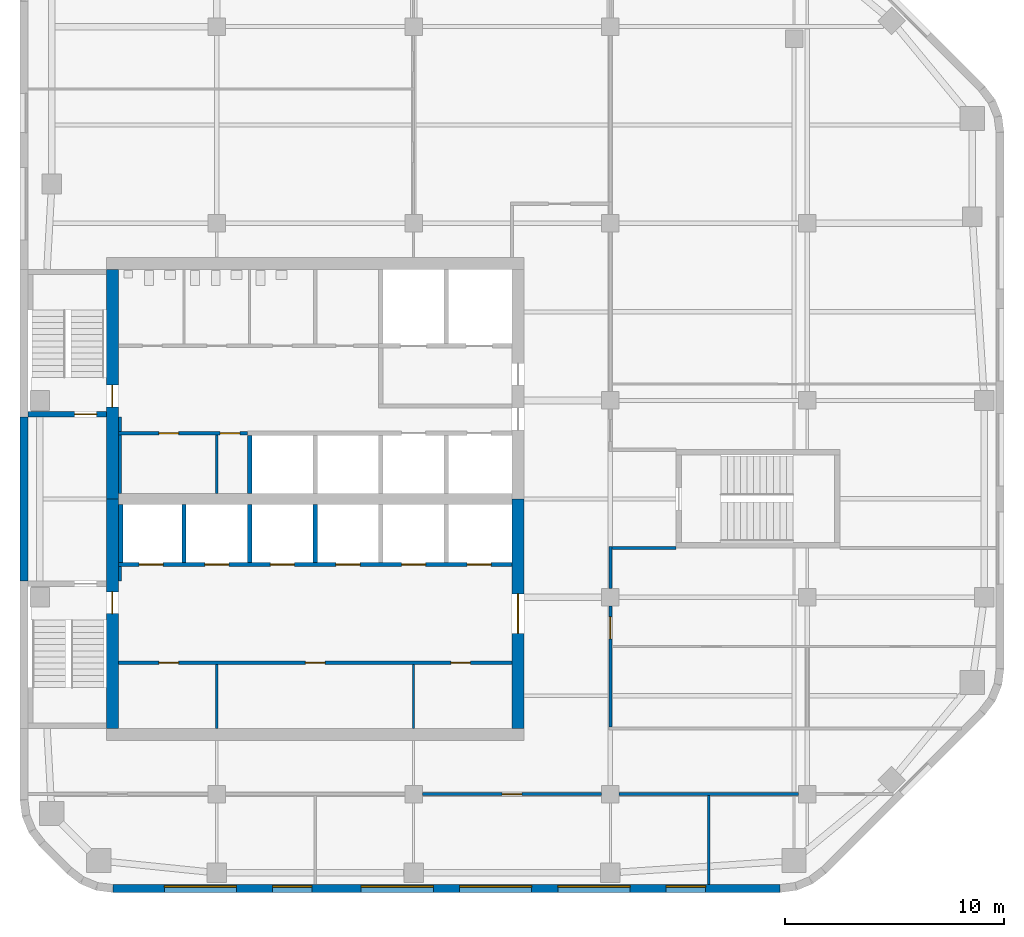
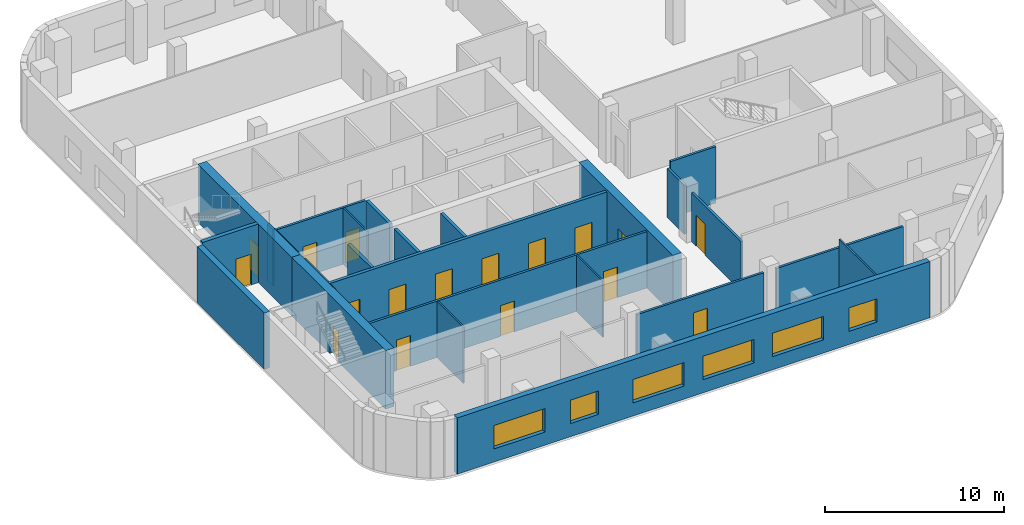
# One storey, part 3 of 7: 26 walls, 17 doors, 6 windows, 23 openings.
"""IFC4 building model written with IfcOpenShell, lengths in metres."""

from ifc_helpers import new_model, si_unit, direction, frame, frame_2d, origin, place, context, subcontext, project, spatial, rectangle, extrude, material, layer, layer_set, type_object, element, fill, save


model = new_model("IFC4")

# Units and contexts
model_context = context("Model", 3, precision=1e-05, world=origin(), true_north=direction((0.0, 1.0)))
body_context = subcontext(model_context, "Body", "Model", "MODEL_VIEW")
ifc_project = project(units=[si_unit("LENGTHUNIT", "METRE"), si_unit("AREAUNIT", "SQUARE_METRE"), si_unit("VOLUMEUNIT", "CUBIC_METRE"), si_unit("PLANEANGLEUNIT", "RADIAN"), si_unit("MASSUNIT", "GRAM", prefix="KILO")], contexts=[model_context])

# Site, building, storey
site_placement = place(None, origin())
site = spatial("IfcSite", under=ifc_project, at=site_placement, CompositionType="ELEMENT")
building_placement = place(site_placement, origin())
building = spatial("IfcBuilding", under=site, at=building_placement, Name="Cinnabar Reach Civic Tower", CompositionType="ELEMENT")
storey_placement = place(building_placement, frame((0.0, 0.0, 214.0)))
storey = spatial("IfcBuildingStorey", under=building, at=storey_placement, Name="L51", CompositionType="ELEMENT", Elevation=214.0)

# Wall, openings, windows
ifc_material_1 = material(Name="Facing brick with insulated backing", Category="masonry")
ifc_layer_1 = layer(ifc_material_1, 0.36)
ifc_layer_set_1 = layer_set([ifc_layer_1], Name="Brick pier and spandrel wall")
wall_type_1 = type_object("IfcWallType", Name="Brick pier and spandrel wall", PredefinedType="STANDARD", material=ifc_layer_set_1)
wall_1_placement = place(storey_placement, frame((4.2426, 13.68, 0.0), z_axis=(0.0, 0.0, 1.0), x_axis=(1.0, 0.0, 0.0)))
wall_1 = element("IfcWall", 1, at=wall_1_placement, inside=storey, type_object=wall_type_1, Name="Brick facade wall", PredefinedType="STANDARD", context=body_context, shape_type="SweptSolid", body=[
    extrude(rectangle(XDim=30.5148, YDim=0.36, at=frame_2d((15.2574, 0.0))), origin(), (0.0, 0.0, 1.0), 3.85),
])
opening_1_placement = place(wall_1_placement, frame((2.3574, 0.0, 0.9)))
opening_1 = element("IfcOpeningElement", 2, at=opening_1_placement, cuts=wall_1, Name="Opening W2040", PredefinedType="OPENING", context=body_context, shape_type="SweptSolid", body=[
    extrude(rectangle(XDim=3.3, YDim=1.6, at=frame_2d((1.65, 0.8))), frame((0.0, 0.19, 0.0), z_axis=(0.0, -1.0, 0.0), x_axis=(1.0, 0.0, 0.0)), (0.0, 0.0, 1.0), 0.38),
])
opening_2_placement = place(wall_1_placement, frame((7.3074, 0.0, 0.9)))
opening_2 = element("IfcOpeningElement", 3, at=opening_2_placement, cuts=wall_1, Name="Opening W2041", PredefinedType="OPENING", context=body_context, shape_type="SweptSolid", body=[
    extrude(rectangle(XDim=1.8, YDim=1.6, at=frame_2d((0.9, 0.8))), frame((0.0, 0.19, 0.0), z_axis=(0.0, -1.0, 0.0), x_axis=(1.0, 0.0, 0.0)), (0.0, 0.0, 1.0), 0.38),
])
opening_3_placement = place(wall_1_placement, frame((11.3574, 0.0, 0.9)))
opening_3 = element("IfcOpeningElement", 4, at=opening_3_placement, cuts=wall_1, Name="Opening W2042", PredefinedType="OPENING", context=body_context, shape_type="SweptSolid", body=[
    extrude(rectangle(XDim=3.3, YDim=1.6, at=frame_2d((1.65, 0.8))), frame((0.0, 0.19, 0.0), z_axis=(0.0, -1.0, 0.0), x_axis=(1.0, 0.0, 0.0)), (0.0, 0.0, 1.0), 0.38),
])
opening_4_placement = place(wall_1_placement, frame((15.8574, 0.0, 0.9)))
opening_4 = element("IfcOpeningElement", 5, at=opening_4_placement, cuts=wall_1, Name="Opening W2043", PredefinedType="OPENING", context=body_context, shape_type="SweptSolid", body=[
    extrude(rectangle(XDim=3.3, YDim=1.6, at=frame_2d((1.65, 0.8))), frame((0.0, 0.19, 0.0), z_axis=(0.0, -1.0, 0.0), x_axis=(1.0, 0.0, 0.0)), (0.0, 0.0, 1.0), 0.38),
])
opening_5_placement = place(wall_1_placement, frame((20.3574, 0.0, 0.9)))
opening_5 = element("IfcOpeningElement", 6, at=opening_5_placement, cuts=wall_1, Name="Opening W2044", PredefinedType="OPENING", context=body_context, shape_type="SweptSolid", body=[
    extrude(rectangle(XDim=3.3, YDim=1.6, at=frame_2d((1.65, 0.8))), frame((0.0, 0.19, 0.0), z_axis=(0.0, -1.0, 0.0), x_axis=(1.0, 0.0, 0.0)), (0.0, 0.0, 1.0), 0.38),
])
opening_6_placement = place(wall_1_placement, frame((25.3074, 0.0, 0.9)))
opening_6 = element("IfcOpeningElement", 7, at=opening_6_placement, cuts=wall_1, Name="Opening W2045", PredefinedType="OPENING", context=body_context, shape_type="SweptSolid", body=[
    extrude(rectangle(XDim=1.8, YDim=1.6, at=frame_2d((0.9, 0.8))), frame((0.0, 0.19, 0.0), z_axis=(0.0, -1.0, 0.0), x_axis=(1.0, 0.0, 0.0)), (0.0, 0.0, 1.0), 0.38),
])
ifc_material_2 = material(Name="Clear double glazing in aluminium frame", Category="aluminium")
window_type_1 = type_object("IfcWindowType", Name="Deep-set window A", PartitioningType="SINGLE_PANEL", PredefinedType="WINDOW", material=ifc_material_2)
window_1_placement = place(opening_1_placement, origin())
window_1 = element("IfcWindow", 8, at=window_1_placement, inside=storey, type_object=window_type_1, Name="Window south face", OverallHeight=1.6, OverallWidth=3.3, PartitioningType="SINGLE_PANEL", PredefinedType="WINDOW", context=body_context, shape_type="SweptSolid", body=[
    extrude(rectangle(XDim=3.3, YDim=1.6, at=frame_2d((1.65, 0.8))), frame((0.0, 0.13, 0.0), z_axis=(0.0, -1.0, 0.0), x_axis=(1.0, 0.0, 0.0)), (0.0, 0.0, 1.0), 0.06),
])
fill(opening_1, window_1)
window_2_placement = place(opening_3_placement, origin())
window_2 = element("IfcWindow", 9, at=window_2_placement, inside=storey, type_object=window_type_1, Name="Window south face", OverallHeight=1.6, OverallWidth=3.3, PartitioningType="SINGLE_PANEL", PredefinedType="WINDOW", context=body_context, shape_type="SweptSolid", body=[
    extrude(rectangle(XDim=3.3, YDim=1.6, at=frame_2d((1.65, 0.8))), frame((0.0, 0.13, 0.0), z_axis=(0.0, -1.0, 0.0), x_axis=(1.0, 0.0, 0.0)), (0.0, 0.0, 1.0), 0.06),
])
fill(opening_3, window_2)
window_3_placement = place(opening_4_placement, origin())
window_3 = element("IfcWindow", 10, at=window_3_placement, inside=storey, type_object=window_type_1, Name="Window south face", OverallHeight=1.6, OverallWidth=3.3, PartitioningType="SINGLE_PANEL", PredefinedType="WINDOW", context=body_context, shape_type="SweptSolid", body=[
    extrude(rectangle(XDim=3.3, YDim=1.6, at=frame_2d((1.65, 0.8))), frame((0.0, 0.13, 0.0), z_axis=(0.0, -1.0, 0.0), x_axis=(1.0, 0.0, 0.0)), (0.0, 0.0, 1.0), 0.06),
])
fill(opening_4, window_3)
window_4_placement = place(opening_5_placement, origin())
window_4 = element("IfcWindow", 11, at=window_4_placement, inside=storey, type_object=window_type_1, Name="Window south face", OverallHeight=1.6, OverallWidth=3.3, PartitioningType="SINGLE_PANEL", PredefinedType="WINDOW", context=body_context, shape_type="SweptSolid", body=[
    extrude(rectangle(XDim=3.3, YDim=1.6, at=frame_2d((1.65, 0.8))), frame((0.0, 0.13, 0.0), z_axis=(0.0, -1.0, 0.0), x_axis=(1.0, 0.0, 0.0)), (0.0, 0.0, 1.0), 0.06),
])
fill(opening_5, window_4)
window_type_2 = type_object("IfcWindowType", Name="Deep-set window D", PartitioningType="SINGLE_PANEL", PredefinedType="WINDOW", material=ifc_material_2)
window_5_placement = place(opening_2_placement, origin())
window_5 = element("IfcWindow", 12, at=window_5_placement, inside=storey, type_object=window_type_2, Name="Window south face", OverallHeight=1.6, OverallWidth=1.8, PartitioningType="SINGLE_PANEL", PredefinedType="WINDOW", context=body_context, shape_type="SweptSolid", body=[
    extrude(rectangle(XDim=1.8, YDim=1.6, at=frame_2d((0.9, 0.8))), frame((0.0, 0.13, 0.0), z_axis=(0.0, -1.0, 0.0), x_axis=(1.0, 0.0, 0.0)), (0.0, 0.0, 1.0), 0.06),
])
fill(opening_2, window_5)
window_6_placement = place(opening_6_placement, origin())
window_6 = element("IfcWindow", 13, at=window_6_placement, inside=storey, type_object=window_type_2, Name="Window south face", OverallHeight=1.6, OverallWidth=1.8, PartitioningType="SINGLE_PANEL", PredefinedType="WINDOW", context=body_context, shape_type="SweptSolid", body=[
    extrude(rectangle(XDim=1.8, YDim=1.6, at=frame_2d((0.9, 0.8))), frame((0.0, 0.13, 0.0), z_axis=(0.0, -1.0, 0.0), x_axis=(1.0, 0.0, 0.0)), (0.0, 0.0, 1.0), 0.06),
])
fill(opening_6, window_6)

# Wall
wall_2_placement = place(storey_placement, frame((0.18, 35.25, 0.0), z_axis=(0.0, 0.0, 1.0), x_axis=(0.0, -1.0, 0.0)))
element("IfcWall", 14, at=wall_2_placement, inside=storey, type_object=wall_type_1, Name="Brick facade wall", PredefinedType="STANDARD", context=body_context, shape_type="SweptSolid", body=[
    extrude(rectangle(XDim=7.5, YDim=0.36, at=frame_2d((3.75, 0.0))), origin(), (0.0, 0.0, 1.0), 3.85),
])

# Wall, opening, door
ifc_material_3 = material(Name="Concrete C60", Category="concrete")
ifc_layer_2 = layer(ifc_material_3, 0.55)
ifc_layer_set_2 = layer_set([ifc_layer_2], Name="Core wall 550 EI 180")
wall_type_2 = type_object("IfcWallType", Name="Core wall 550 EI 180", PredefinedType="SOLIDWALL", material=ifc_layer_set_2)
wall_3_placement = place(storey_placement, frame((22.775, 21.0, 0.0), z_axis=(0.0, 0.0, 1.0), x_axis=(0.0, 1.0, 0.0)))
wall_3 = element("IfcWall", 15, at=wall_3_placement, inside=storey, type_object=wall_type_2, Name="Core wall T1 L51 E", PredefinedType="SOLIDWALL", context=body_context, shape_type="SweptSolid", body=[
    extrude(rectangle(XDim=10.5, YDim=0.55, at=frame_2d((5.25, 0.0))), origin(), (0.0, 0.0, 1.0), 4.0),
])
opening_7_placement = place(wall_3_placement, frame((4.35, 0.0, 0.0)))
opening_7 = element("IfcOpeningElement", 16, at=opening_7_placement, cuts=wall_3, Name="Opening D5085", PredefinedType="OPENING", context=body_context, shape_type="SweptSolid", body=[
    extrude(rectangle(XDim=1.8, YDim=2.1, at=frame_2d((0.9, 1.05))), frame((0.0, 0.285, 0.0), z_axis=(0.0, -1.0, 0.0), x_axis=(1.0, 0.0, 0.0)), (0.0, 0.0, 1.0), 0.57),
])
ifc_material_4 = material(Name="Timber door leaf in steel frame", Category="steel")
door_type_1 = type_object("IfcDoorType", Name="Double swing door 1800 x 2100 T1", OperationType="DOUBLE_DOOR_DOUBLE_SWING", PredefinedType="DOOR", material=ifc_material_4)
door_1_placement = place(opening_7_placement, origin())
door_1 = element("IfcDoor", 17, at=door_1_placement, inside=storey, type_object=door_type_1, Name="Door D5085", OperationType="DOUBLE_DOOR_DOUBLE_SWING", OverallHeight=2.1, OverallWidth=1.8, PredefinedType="DOOR", context=body_context, shape_type="SweptSolid", body=[
    extrude(rectangle(XDim=1.8, YDim=2.1, at=frame_2d((0.9, 1.05))), frame((0.0, 0.025, 0.0), z_axis=(0.0, -1.0, 0.0), x_axis=(1.0, 0.0, 0.0)), (0.0, 0.0, 1.0), 0.05),
])
fill(opening_7, door_1)

wall_4_placement = place(storey_placement, frame((4.225, 42.0, 0.0), z_axis=(0.0, 0.0, 1.0), x_axis=(0.0, -1.0, 0.0)))
wall_4 = element("IfcWall", 18, at=wall_4_placement, inside=storey, type_object=wall_type_2, Name="Core wall T1 L51 W", PredefinedType="SOLIDWALL", context=body_context, shape_type="SweptSolid", body=[
    extrude(rectangle(XDim=10.5, YDim=0.55, at=frame_2d((5.25, 0.0))), origin(), (0.0, 0.0, 1.0), 4.0),
])
opening_8_placement = place(wall_4_placement, frame((5.3, 0.0, 0.0)))
opening_8 = element("IfcOpeningElement", 19, at=opening_8_placement, cuts=wall_4, Name="Opening D5073", PredefinedType="OPENING", context=body_context, shape_type="SweptSolid", body=[
    extrude(rectangle(XDim=1.0, YDim=2.1, at=frame_2d((0.5, 1.05))), frame((0.0, 0.285, 0.0), z_axis=(0.0, -1.0, 0.0), x_axis=(1.0, 0.0, 0.0)), (0.0, 0.0, 1.0), 0.57),
])
door_type_2 = type_object("IfcDoorType", Name="Stair door 1000 x 2100 T1", OperationType="SINGLE_SWING_LEFT", PredefinedType="DOOR", material=ifc_material_4)
door_2_placement = place(opening_8_placement, frame((1.0, 0.0, 0.0), z_axis=(0.0, 0.0, 1.0), x_axis=(-1.0, 0.0, 0.0)))
door_2 = element("IfcDoor", 20, at=door_2_placement, inside=storey, type_object=door_type_2, Name="Door D5073", OperationType="SINGLE_SWING_LEFT", OverallHeight=2.1, OverallWidth=1.0, PredefinedType="DOOR", context=body_context, shape_type="SweptSolid", body=[
    extrude(rectangle(XDim=1.0, YDim=2.1, at=frame_2d((0.5, 1.05))), frame((0.0, 0.025, 0.0), z_axis=(0.0, -1.0, 0.0), x_axis=(1.0, 0.0, 0.0)), (0.0, 0.0, 1.0), 0.05),
])
fill(opening_8, door_2)

wall_5_placement = place(storey_placement, frame((4.225, 31.5, 0.0), z_axis=(0.0, 0.0, 1.0), x_axis=(0.0, -1.0, 0.0)))
wall_5 = element("IfcWall", 21, at=wall_5_placement, inside=storey, type_object=wall_type_2, Name="Core wall T1 L51 W2", PredefinedType="SOLIDWALL", context=body_context, shape_type="SweptSolid", body=[
    extrude(rectangle(XDim=10.5, YDim=0.55, at=frame_2d((5.25, 0.0))), origin(), (0.0, 0.0, 1.0), 4.0),
])
opening_9_placement = place(wall_5_placement, frame((4.25, 0.0, 0.0)))
opening_9 = element("IfcOpeningElement", 22, at=opening_9_placement, cuts=wall_5, Name="Opening D5071", PredefinedType="OPENING", context=body_context, shape_type="SweptSolid", body=[
    extrude(rectangle(XDim=1.0, YDim=2.1, at=frame_2d((0.5, 1.05))), frame((0.0, 0.285, 0.0), z_axis=(0.0, -1.0, 0.0), x_axis=(1.0, 0.0, 0.0)), (0.0, 0.0, 1.0), 0.57),
])
door_3_placement = place(opening_9_placement, frame((1.0, 0.0, 0.0), z_axis=(0.0, 0.0, 1.0), x_axis=(-1.0, 0.0, 0.0)))
door_3 = element("IfcDoor", 23, at=door_3_placement, inside=storey, type_object=door_type_2, Name="Door D5071", OperationType="SINGLE_SWING_RIGHT", OverallHeight=2.1, OverallWidth=1.0, PredefinedType="DOOR", context=body_context, shape_type="SweptSolid", body=[
    extrude(rectangle(XDim=1.0, YDim=2.1, at=frame_2d((0.5, 1.05))), frame((0.0, 0.025, 0.0), z_axis=(0.0, -1.0, 0.0), x_axis=(1.0, 0.0, 0.0)), (0.0, 0.0, 1.0), 0.05),
])
fill(opening_9, door_3)

# Wall
ifc_material_5 = material(Name="Gypsum board on steel studs, double layer", Category="steel")
ifc_layer_3 = layer(ifc_material_5, 0.15)
ifc_layer_set_3 = layer_set([ifc_layer_3], Name="Corridor wall 150 T1")
wall_type_3 = type_object("IfcWallType", Name="Corridor wall 150 T1", PredefinedType="PARTITIONING", material=ifc_layer_set_3)
wall_6_placement = place(storey_placement, frame((27.4, 18.0, 0.0), z_axis=(0.0, 0.0, 1.0), x_axis=(1.0, 0.0, 0.0)))
element("IfcWall", 24, at=wall_6_placement, inside=storey, type_object=wall_type_3, Name="Corridor wall 19", PredefinedType="PARTITIONING", context=body_context, shape_type="SweptSolid", body=[
    extrude(rectangle(XDim=8.2, YDim=0.15, at=frame_2d((4.1, 0.0))), origin(), (0.0, 0.0, 1.0), 3.254),
])

# Wall, opening, door
wall_7_placement = place(storey_placement, frame((18.4, 18.0, 0.0), z_axis=(0.0, 0.0, 1.0), x_axis=(1.0, 0.0, 0.0)))
wall_7 = element("IfcWall", 25, at=wall_7_placement, inside=storey, type_object=wall_type_3, Name="Corridor wall 20", PredefinedType="PARTITIONING", context=body_context, shape_type="SweptSolid", body=[
    extrude(rectangle(XDim=8.2, YDim=0.15, at=frame_2d((4.1, 0.0))), origin(), (0.0, 0.0, 1.0), 3.254),
])
opening_10_placement = place(wall_7_placement, frame((3.65, 0.0, 0.0)))
opening_10 = element("IfcOpeningElement", 26, at=opening_10_placement, cuts=wall_7, Name="Opening D5104", PredefinedType="OPENING", context=body_context, shape_type="SweptSolid", body=[
    extrude(rectangle(XDim=0.9, YDim=2.1, at=frame_2d((0.45, 1.05))), frame((0.0, 0.085, 0.0), z_axis=(0.0, -1.0, 0.0), x_axis=(1.0, 0.0, 0.0)), (0.0, 0.0, 1.0), 0.17),
])
door_type_3 = type_object("IfcDoorType", Name="Single swing door 900 x 2100 corridor T1", OperationType="SINGLE_SWING_LEFT", PredefinedType="DOOR", material=ifc_material_4)
door_4_placement = place(opening_10_placement, frame((0.9, 0.0, 0.0), z_axis=(0.0, 0.0, 1.0), x_axis=(-1.0, 0.0, 0.0)))
door_4 = element("IfcDoor", 27, at=door_4_placement, inside=storey, type_object=door_type_3, Name="Door D5104", OperationType="SINGLE_SWING_LEFT", OverallHeight=2.1, OverallWidth=0.9, PredefinedType="DOOR", context=body_context, shape_type="SweptSolid", body=[
    extrude(rectangle(XDim=0.9, YDim=2.1, at=frame_2d((0.45, 1.05))), frame((0.0, 0.025, 0.0), z_axis=(0.0, -1.0, 0.0), x_axis=(1.0, 0.0, 0.0)), (0.0, 0.0, 1.0), 0.05),
])
fill(opening_10, door_4)

# Wall, openings, doors
wall_8_placement = place(storey_placement, frame((4.5, 24.0, 0.0), z_axis=(0.0, 0.0, 1.0), x_axis=(1.0, 0.0, 0.0)))
wall_8 = element("IfcWall", 28, at=wall_8_placement, inside=storey, type_object=wall_type_3, Name="Corridor wall 23", PredefinedType="PARTITIONING", context=body_context, shape_type="SweptSolid", body=[
    extrude(rectangle(XDim=18.0, YDim=0.15, at=frame_2d((9.0, 0.0))), origin(), (0.0, 0.0, 1.0), 3.85),
])
opening_11_placement = place(wall_8_placement, frame((1.85, 0.0, 0.0)))
opening_11 = element("IfcOpeningElement", 29, at=opening_11_placement, cuts=wall_8, Name="Opening D5089", PredefinedType="OPENING", context=body_context, shape_type="SweptSolid", body=[
    extrude(rectangle(XDim=0.9, YDim=2.1, at=frame_2d((0.45, 1.05))), frame((0.0, 0.085, 0.0), z_axis=(0.0, -1.0, 0.0), x_axis=(1.0, 0.0, 0.0)), (0.0, 0.0, 1.0), 0.17),
])
opening_12_placement = place(wall_8_placement, frame((8.55, 0.0, 0.0)))
opening_12 = element("IfcOpeningElement", 30, at=opening_12_placement, cuts=wall_8, Name="Opening D5090", PredefinedType="OPENING", context=body_context, shape_type="SweptSolid", body=[
    extrude(rectangle(XDim=0.9, YDim=2.1, at=frame_2d((0.45, 1.05))), frame((0.0, 0.085, 0.0), z_axis=(0.0, -1.0, 0.0), x_axis=(1.0, 0.0, 0.0)), (0.0, 0.0, 1.0), 0.17),
])
opening_13_placement = place(wall_8_placement, frame((15.2, 0.0, 0.0)))
opening_13 = element("IfcOpeningElement", 31, at=opening_13_placement, cuts=wall_8, Name="Opening D5091", PredefinedType="OPENING", context=body_context, shape_type="SweptSolid", body=[
    extrude(rectangle(XDim=0.9, YDim=2.1, at=frame_2d((0.45, 1.05))), frame((0.0, 0.085, 0.0), z_axis=(0.0, -1.0, 0.0), x_axis=(1.0, 0.0, 0.0)), (0.0, 0.0, 1.0), 0.17),
])
door_5_placement = place(opening_11_placement, frame((0.9, 0.0, 0.0), z_axis=(0.0, 0.0, 1.0), x_axis=(-1.0, 0.0, 0.0)))
door_5 = element("IfcDoor", 32, at=door_5_placement, inside=storey, type_object=door_type_3, Name="Door D5089", OperationType="SINGLE_SWING_LEFT", OverallHeight=2.1, OverallWidth=0.9, PredefinedType="DOOR", context=body_context, shape_type="SweptSolid", body=[
    extrude(rectangle(XDim=0.9, YDim=2.1, at=frame_2d((0.45, 1.05))), frame((0.0, 0.025, 0.0), z_axis=(0.0, -1.0, 0.0), x_axis=(1.0, 0.0, 0.0)), (0.0, 0.0, 1.0), 0.05),
])
fill(opening_11, door_5)
door_6_placement = place(opening_12_placement, frame((0.9, 0.0, 0.0), z_axis=(0.0, 0.0, 1.0), x_axis=(-1.0, 0.0, 0.0)))
door_6 = element("IfcDoor", 33, at=door_6_placement, inside=storey, type_object=door_type_3, Name="Door D5090", OperationType="SINGLE_SWING_RIGHT", OverallHeight=2.1, OverallWidth=0.9, PredefinedType="DOOR", context=body_context, shape_type="SweptSolid", body=[
    extrude(rectangle(XDim=0.9, YDim=2.1, at=frame_2d((0.45, 1.05))), frame((0.0, 0.025, 0.0), z_axis=(0.0, -1.0, 0.0), x_axis=(1.0, 0.0, 0.0)), (0.0, 0.0, 1.0), 0.05),
])
fill(opening_12, door_6)
door_7_placement = place(opening_13_placement, frame((0.9, 0.0, 0.0), z_axis=(0.0, 0.0, 1.0), x_axis=(-1.0, 0.0, 0.0)))
door_7 = element("IfcDoor", 34, at=door_7_placement, inside=storey, type_object=door_type_3, Name="Door D5091", OperationType="SINGLE_SWING_LEFT", OverallHeight=2.1, OverallWidth=0.9, PredefinedType="DOOR", context=body_context, shape_type="SweptSolid", body=[
    extrude(rectangle(XDim=0.9, YDim=2.1, at=frame_2d((0.45, 1.05))), frame((0.0, 0.025, 0.0), z_axis=(0.0, -1.0, 0.0), x_axis=(1.0, 0.0, 0.0)), (0.0, 0.0, 1.0), 0.05),
])
fill(opening_13, door_7)

# Wall, opening, door
wall_9_placement = place(storey_placement, frame((27.0, 21.075, 0.0), z_axis=(0.0, 0.0, 1.0), x_axis=(0.0, 1.0, 0.0)))
wall_9 = element("IfcWall", 35, at=wall_9_placement, inside=storey, type_object=wall_type_3, Name="Corridor wall 29", PredefinedType="PARTITIONING", context=body_context, shape_type="SweptSolid", body=[
    extrude(rectangle(XDim=5.525, YDim=0.15, at=frame_2d((2.7625, 0.0))), origin(), (0.0, 0.0, 1.0), 3.35),
])
opening_14_placement = place(wall_9_placement, frame((4.025, 0.0, 0.0)))
opening_14 = element("IfcOpeningElement", 36, at=opening_14_placement, cuts=wall_9, Name="Opening D5100", PredefinedType="OPENING", context=body_context, shape_type="SweptSolid", body=[
    extrude(rectangle(XDim=1.0, YDim=2.1, at=frame_2d((0.5, 1.05))), frame((0.0, 0.085, 0.0), z_axis=(0.0, -1.0, 0.0), x_axis=(1.0, 0.0, 0.0)), (0.0, 0.0, 1.0), 0.17),
])
door_type_4 = type_object("IfcDoorType", Name="Tenancy entrance door 1000 x 2100 T1", OperationType="SINGLE_SWING_LEFT", PredefinedType="DOOR", material=ifc_material_4)
door_8_placement = place(opening_14_placement, frame((1.0, 0.0, 0.0), z_axis=(0.0, 0.0, 1.0), x_axis=(-1.0, 0.0, 0.0)))
door_8 = element("IfcDoor", 37, at=door_8_placement, inside=storey, type_object=door_type_4, Name="Door D5100", OperationType="SINGLE_SWING_RIGHT", OverallHeight=2.1, OverallWidth=1.0, PredefinedType="DOOR", context=body_context, shape_type="SweptSolid", body=[
    extrude(rectangle(XDim=1.0, YDim=2.1, at=frame_2d((0.5, 1.05))), frame((0.0, 0.025, 0.0), z_axis=(0.0, -1.0, 0.0), x_axis=(1.0, 0.0, 0.0)), (0.0, 0.0, 1.0), 0.05),
])
fill(opening_14, door_8)

# Wall
wall_10_placement = place(storey_placement, frame((27.0, 27.4, 0.0), z_axis=(0.0, 0.0, 1.0), x_axis=(0.0, 1.0, 0.0)))
element("IfcWall", 38, at=wall_10_placement, inside=storey, type_object=wall_type_3, Name="Corridor wall 30", PredefinedType="PARTITIONING", context=body_context, shape_type="SweptSolid", body=[
    extrude(rectangle(XDim=1.925, YDim=0.15, at=frame_2d((0.9625, 0.0))), origin(), (0.0, 0.0, 1.0), 3.35),
])

# Wall, openings, doors
wall_11_placement = place(storey_placement, frame((4.5, 34.5, 0.0), z_axis=(0.0, 0.0, 1.0), x_axis=(1.0, 0.0, 0.0)))
wall_11 = element("IfcWall", 39, at=wall_11_placement, inside=storey, type_object=wall_type_3, Name="Corridor wall 31", PredefinedType="PARTITIONING", context=body_context, shape_type="SweptSolid", body=[
    extrude(rectangle(XDim=5.9, YDim=0.15, at=frame_2d((2.95, 0.0))), origin(), (0.0, 0.0, 1.0), 3.85),
])
opening_15_placement = place(wall_11_placement, frame((1.85, 0.0, 0.0)))
opening_15 = element("IfcOpeningElement", 40, at=opening_15_placement, cuts=wall_11, Name="Opening D5092", PredefinedType="OPENING", context=body_context, shape_type="SweptSolid", body=[
    extrude(rectangle(XDim=0.9, YDim=2.1, at=frame_2d((0.45, 1.05))), frame((0.0, 0.085, 0.0), z_axis=(0.0, -1.0, 0.0), x_axis=(1.0, 0.0, 0.0)), (0.0, 0.0, 1.0), 0.17),
])
opening_16_placement = place(wall_11_placement, frame((4.65, 0.0, 0.0)))
opening_16 = element("IfcOpeningElement", 41, at=opening_16_placement, cuts=wall_11, Name="Opening D5093", PredefinedType="OPENING", context=body_context, shape_type="SweptSolid", body=[
    extrude(rectangle(XDim=0.9, YDim=2.1, at=frame_2d((0.45, 1.05))), frame((0.0, 0.085, 0.0), z_axis=(0.0, -1.0, 0.0), x_axis=(1.0, 0.0, 0.0)), (0.0, 0.0, 1.0), 0.17),
])
door_9_placement = place(opening_15_placement, frame((0.9, 0.0, 0.0), z_axis=(0.0, 0.0, 1.0), x_axis=(-1.0, 0.0, 0.0)))
door_9 = element("IfcDoor", 42, at=door_9_placement, inside=storey, type_object=door_type_3, Name="Door D5092", OperationType="SINGLE_SWING_RIGHT", OverallHeight=2.1, OverallWidth=0.9, PredefinedType="DOOR", context=body_context, shape_type="SweptSolid", body=[
    extrude(rectangle(XDim=0.9, YDim=2.1, at=frame_2d((0.45, 1.05))), frame((0.0, 0.025, 0.0), z_axis=(0.0, -1.0, 0.0), x_axis=(1.0, 0.0, 0.0)), (0.0, 0.0, 1.0), 0.05),
])
fill(opening_15, door_9)
door_10_placement = place(opening_16_placement, frame((0.9, 0.0, 0.0), z_axis=(0.0, 0.0, 1.0), x_axis=(-1.0, 0.0, 0.0)))
door_10 = element("IfcDoor", 43, at=door_10_placement, inside=storey, type_object=door_type_3, Name="Door D5093", OperationType="SINGLE_SWING_RIGHT", OverallHeight=2.1, OverallWidth=0.9, PredefinedType="DOOR", context=body_context, shape_type="SweptSolid", body=[
    extrude(rectangle(XDim=0.9, YDim=2.1, at=frame_2d((0.45, 1.05))), frame((0.0, 0.025, 0.0), z_axis=(0.0, -1.0, 0.0), x_axis=(1.0, 0.0, 0.0)), (0.0, 0.0, 1.0), 0.05),
])
fill(opening_16, door_10)

# Walls
wall_12_placement = place(storey_placement, frame((4.575, 34.575, 0.0), z_axis=(0.0, 0.0, 1.0), x_axis=(0.0, 1.0, 0.0)))
element("IfcWall", 44, at=wall_12_placement, inside=storey, type_object=wall_type_3, Name="Corridor wall 33", PredefinedType="PARTITIONING", context=body_context, shape_type="SweptSolid", body=[
    extrude(rectangle(XDim=0.675, YDim=0.15, at=frame_2d((0.3375, 0.0))), origin(), (0.0, 0.0, 1.0), 3.85),
])
wall_13_placement = place(storey_placement, frame((4.575, 31.75, 0.0), z_axis=(0.0, 0.0, 1.0), x_axis=(0.0, 1.0, 0.0)))
element("IfcWall", 45, at=wall_13_placement, inside=storey, type_object=wall_type_3, Name="Corridor wall 34", PredefinedType="PARTITIONING", context=body_context, shape_type="SweptSolid", body=[
    extrude(rectangle(XDim=2.675, YDim=0.15, at=frame_2d((1.3375, 0.0))), origin(), (0.0, 0.0, 1.0), 3.85),
])
wall_14_placement = place(storey_placement, frame((27.075, 29.25, 0.0), z_axis=(0.0, 0.0, 1.0), x_axis=(1.0, 0.0, 0.0)))
element("IfcWall", 46, at=wall_14_placement, inside=storey, type_object=wall_type_3, Name="Corridor wall 35", PredefinedType="PARTITIONING", context=body_context, shape_type="SweptSolid", body=[
    extrude(rectangle(XDim=2.925, YDim=0.15, at=frame_2d((1.4625, 0.0))), origin(), (0.0, 0.0, 1.0), 3.85),
])
wall_15_placement = place(storey_placement, frame((4.575, 27.75, 0.0), z_axis=(0.0, 0.0, 1.0), x_axis=(0.0, 1.0, 0.0)))
element("IfcWall", 47, at=wall_15_placement, inside=storey, type_object=wall_type_3, Name="Corridor wall 38", PredefinedType="PARTITIONING", context=body_context, shape_type="SweptSolid", body=[
    extrude(rectangle(XDim=0.65, YDim=0.15, at=frame_2d((0.325, 0.0))), origin(), (0.0, 0.0, 1.0), 3.85),
])

# Wall, openings, doors
ifc_material_6 = material(Name="Blockwork", Category="masonry")
ifc_layer_4 = layer(ifc_material_6, 0.2)
ifc_layer_set_4 = layer_set([ifc_layer_4], Name="Lift shaft wall 200 T1")
wall_type_4 = type_object("IfcWallType", Name="Lift shaft wall 200 T1", PredefinedType="PARTITIONING", material=ifc_layer_set_4)
wall_16_placement = place(storey_placement, frame((4.5, 28.5, 0.0), z_axis=(0.0, 0.0, 1.0), x_axis=(1.0, 0.0, 0.0)))
wall_16 = element("IfcWall", 48, at=wall_16_placement, inside=storey, type_object=wall_type_4, Name="Lift shaft wall 4", PredefinedType="PARTITIONING", context=body_context, shape_type="SweptSolid", body=[
    extrude(rectangle(XDim=18.0, YDim=0.2, at=frame_2d((9.0, 0.0))), origin(), (0.0, 0.0, 1.0), 3.85),
])
opening_17_placement = place(wall_16_placement, frame((0.95, 0.0, 0.0)))
opening_17 = element("IfcOpeningElement", 49, at=opening_17_placement, cuts=wall_16, Name="Opening D5075", PredefinedType="OPENING", context=body_context, shape_type="SweptSolid", body=[
    extrude(rectangle(XDim=1.1, YDim=2.1, at=frame_2d((0.55, 1.05))), frame((0.0, 0.11, 0.0), z_axis=(0.0, -1.0, 0.0), x_axis=(1.0, 0.0, 0.0)), (0.0, 0.0, 1.0), 0.22),
])
opening_18_placement = place(wall_16_placement, frame((3.95, 0.0, 0.0)))
opening_18 = element("IfcOpeningElement", 50, at=opening_18_placement, cuts=wall_16, Name="Opening D5076", PredefinedType="OPENING", context=body_context, shape_type="SweptSolid", body=[
    extrude(rectangle(XDim=1.1, YDim=2.1, at=frame_2d((0.55, 1.05))), frame((0.0, 0.11, 0.0), z_axis=(0.0, -1.0, 0.0), x_axis=(1.0, 0.0, 0.0)), (0.0, 0.0, 1.0), 0.22),
])
opening_19_placement = place(wall_16_placement, frame((6.95, 0.0, 0.0)))
opening_19 = element("IfcOpeningElement", 51, at=opening_19_placement, cuts=wall_16, Name="Opening D5077", PredefinedType="OPENING", context=body_context, shape_type="SweptSolid", body=[
    extrude(rectangle(XDim=1.1, YDim=2.1, at=frame_2d((0.55, 1.05))), frame((0.0, 0.11, 0.0), z_axis=(0.0, -1.0, 0.0), x_axis=(1.0, 0.0, 0.0)), (0.0, 0.0, 1.0), 0.22),
])
opening_20_placement = place(wall_16_placement, frame((9.95, 0.0, 0.0)))
opening_20 = element("IfcOpeningElement", 52, at=opening_20_placement, cuts=wall_16, Name="Opening D5078", PredefinedType="OPENING", context=body_context, shape_type="SweptSolid", body=[
    extrude(rectangle(XDim=1.1, YDim=2.1, at=frame_2d((0.55, 1.05))), frame((0.0, 0.11, 0.0), z_axis=(0.0, -1.0, 0.0), x_axis=(1.0, 0.0, 0.0)), (0.0, 0.0, 1.0), 0.22),
])
opening_21_placement = place(wall_16_placement, frame((12.95, 0.0, 0.0)))
opening_21 = element("IfcOpeningElement", 53, at=opening_21_placement, cuts=wall_16, Name="Opening D5079", PredefinedType="OPENING", context=body_context, shape_type="SweptSolid", body=[
    extrude(rectangle(XDim=1.1, YDim=2.1, at=frame_2d((0.55, 1.05))), frame((0.0, 0.11, 0.0), z_axis=(0.0, -1.0, 0.0), x_axis=(1.0, 0.0, 0.0)), (0.0, 0.0, 1.0), 0.22),
])
opening_22_placement = place(wall_16_placement, frame((15.95, 0.0, 0.0)))
opening_22 = element("IfcOpeningElement", 54, at=opening_22_placement, cuts=wall_16, Name="Opening D5080", PredefinedType="OPENING", context=body_context, shape_type="SweptSolid", body=[
    extrude(rectangle(XDim=1.1, YDim=2.1, at=frame_2d((0.55, 1.05))), frame((0.0, 0.11, 0.0), z_axis=(0.0, -1.0, 0.0), x_axis=(1.0, 0.0, 0.0)), (0.0, 0.0, 1.0), 0.22),
])
ifc_material_7 = material(Name="Stainless steel sliding door", Category="steel")
door_type_5 = type_object("IfcDoorType", Name="Lift landing door 1100 x 2100 T1", OperationType="SLIDING_TO_LEFT", PredefinedType="DOOR", material=ifc_material_7)
door_11_placement = place(opening_17_placement, origin())
door_11 = element("IfcDoor", 55, at=door_11_placement, inside=storey, type_object=door_type_5, Name="Lift landing door HR1 L51", OperationType="SLIDING_TO_LEFT", OverallHeight=2.1, OverallWidth=1.1, PredefinedType="DOOR", context=body_context, shape_type="SweptSolid", body=[
    extrude(rectangle(XDim=1.1, YDim=2.1, at=frame_2d((0.55, 1.05))), frame((0.0, 0.025, 0.0), z_axis=(0.0, -1.0, 0.0), x_axis=(1.0, 0.0, 0.0)), (0.0, 0.0, 1.0), 0.05),
])
fill(opening_17, door_11)
door_12_placement = place(opening_18_placement, origin())
door_12 = element("IfcDoor", 56, at=door_12_placement, inside=storey, type_object=door_type_5, Name="Lift landing door HR2 L51", OperationType="SLIDING_TO_LEFT", OverallHeight=2.1, OverallWidth=1.1, PredefinedType="DOOR", context=body_context, shape_type="SweptSolid", body=[
    extrude(rectangle(XDim=1.1, YDim=2.1, at=frame_2d((0.55, 1.05))), frame((0.0, 0.025, 0.0), z_axis=(0.0, -1.0, 0.0), x_axis=(1.0, 0.0, 0.0)), (0.0, 0.0, 1.0), 0.05),
])
fill(opening_18, door_12)
door_13_placement = place(opening_19_placement, origin())
door_13 = element("IfcDoor", 57, at=door_13_placement, inside=storey, type_object=door_type_5, Name="Lift landing door HR3 L51", OperationType="SLIDING_TO_LEFT", OverallHeight=2.1, OverallWidth=1.1, PredefinedType="DOOR", context=body_context, shape_type="SweptSolid", body=[
    extrude(rectangle(XDim=1.1, YDim=2.1, at=frame_2d((0.55, 1.05))), frame((0.0, 0.025, 0.0), z_axis=(0.0, -1.0, 0.0), x_axis=(1.0, 0.0, 0.0)), (0.0, 0.0, 1.0), 0.05),
])
fill(opening_19, door_13)
door_14_placement = place(opening_20_placement, origin())
door_14 = element("IfcDoor", 58, at=door_14_placement, inside=storey, type_object=door_type_5, Name="Lift landing door HR4 L51", OperationType="SLIDING_TO_LEFT", OverallHeight=2.1, OverallWidth=1.1, PredefinedType="DOOR", context=body_context, shape_type="SweptSolid", body=[
    extrude(rectangle(XDim=1.1, YDim=2.1, at=frame_2d((0.55, 1.05))), frame((0.0, 0.025, 0.0), z_axis=(0.0, -1.0, 0.0), x_axis=(1.0, 0.0, 0.0)), (0.0, 0.0, 1.0), 0.05),
])
fill(opening_20, door_14)
door_15_placement = place(opening_21_placement, origin())
door_15 = element("IfcDoor", 59, at=door_15_placement, inside=storey, type_object=door_type_5, Name="Lift landing door HR5 L51", OperationType="SLIDING_TO_LEFT", OverallHeight=2.1, OverallWidth=1.1, PredefinedType="DOOR", context=body_context, shape_type="SweptSolid", body=[
    extrude(rectangle(XDim=1.1, YDim=2.1, at=frame_2d((0.55, 1.05))), frame((0.0, 0.025, 0.0), z_axis=(0.0, -1.0, 0.0), x_axis=(1.0, 0.0, 0.0)), (0.0, 0.0, 1.0), 0.05),
])
fill(opening_21, door_15)
door_16_placement = place(opening_22_placement, origin())
door_16 = element("IfcDoor", 60, at=door_16_placement, inside=storey, type_object=door_type_5, Name="Lift landing door HR6 L51", OperationType="SLIDING_TO_LEFT", OverallHeight=2.1, OverallWidth=1.1, PredefinedType="DOOR", context=body_context, shape_type="SweptSolid", body=[
    extrude(rectangle(XDim=1.1, YDim=2.1, at=frame_2d((0.55, 1.05))), frame((0.0, 0.025, 0.0), z_axis=(0.0, -1.0, 0.0), x_axis=(1.0, 0.0, 0.0)), (0.0, 0.0, 1.0), 0.05),
])
fill(opening_22, door_16)

# Walls
for number, where, z_axis, x_axis, name in (
    (61, (10.5, 28.6, 0.0), (0.0, 0.0, 1.0), (0.0, 1.0, 0.0), "Lift shaft wall 6"),
    (62, (10.5, 31.75, 0.0), (0.0, 0.0, 1.0), (0.0, 1.0, 0.0), "Lift shaft wall 7"),
    (63, (13.5, 28.6, 0.0), (0.0, 0.0, 1.0), (0.0, 1.0, 0.0), "Lift shaft wall 8"),
    (64, (4.6, 28.6, 0.0), (0.0, 0.0, 1.0), (0.0, 1.0, 0.0), "Lift shaft wall 16"),
    (65, (7.5, 28.6, 0.0), (0.0, 0.0, 1.0), (0.0, 1.0, 0.0), "Lift shaft wall 17"),
):
    element("IfcWall", number, at=place(storey_placement, frame(where, z_axis=z_axis, x_axis=x_axis)), inside=storey, type_object=wall_type_4, Name=name, PredefinedType="PARTITIONING", context=body_context, shape_type="SweptSolid", body=[
        extrude(rectangle(XDim=2.65, YDim=0.2, at=frame_2d((1.325, 0.0))), origin(), (0.0, 0.0, 1.0), 3.85),
    ])
ifc_material_8 = material(Name="Gypsum board on steel studs", Category="steel")
ifc_layer_5 = layer(ifc_material_8, 0.1)
ifc_layer_set_5 = layer_set([ifc_layer_5], Name="Partition wall 100 T1")
wall_type_5 = type_object("IfcWallType", Name="Partition wall 100 T1", PredefinedType="PARTITIONING", material=ifc_layer_set_5)
wall_17_placement = place(storey_placement, frame((31.5, 13.86, 0.0), z_axis=(0.0, 0.0, 1.0), x_axis=(0.0, 1.0, 0.0)))
element("IfcWall", 66, at=wall_17_placement, inside=storey, type_object=wall_type_5, Name="Partition wall 51", PredefinedType="PARTITIONING", context=body_context, shape_type="SweptSolid", body=[
    extrude(rectangle(XDim=4.065, YDim=0.1, at=frame_2d((2.0325, 0.0))), origin(), (0.0, 0.0, 1.0), 3.85),
])
wall_18_placement = place(storey_placement, frame((9.0, 21.0, 0.0), z_axis=(0.0, 0.0, 1.0), x_axis=(0.0, 1.0, 0.0)))
element("IfcWall", 67, at=wall_18_placement, inside=storey, type_object=wall_type_5, Name="Partition wall 55", PredefinedType="PARTITIONING", context=body_context, shape_type="SweptSolid", body=[
    extrude(rectangle(XDim=2.925, YDim=0.1, at=frame_2d((1.4625, 0.0))), origin(), (0.0, 0.0, 1.0), 3.85),
])
wall_19_placement = place(storey_placement, frame((9.0, 31.75, 0.0), z_axis=(0.0, 0.0, 1.0), x_axis=(0.0, 1.0, 0.0)))
element("IfcWall", 68, at=wall_19_placement, inside=storey, type_object=wall_type_5, Name="Partition wall 56", PredefinedType="PARTITIONING", context=body_context, shape_type="SweptSolid", body=[
    extrude(rectangle(XDim=2.675, YDim=0.1, at=frame_2d((1.3375, 0.0))), origin(), (0.0, 0.0, 1.0), 3.85),
])
wall_20_placement = place(storey_placement, frame((18.0, 21.0, 0.0), z_axis=(0.0, 0.0, 1.0), x_axis=(0.0, 1.0, 0.0)))
element("IfcWall", 69, at=wall_20_placement, inside=storey, type_object=wall_type_5, Name="Partition wall 57", PredefinedType="PARTITIONING", context=body_context, shape_type="SweptSolid", body=[
    extrude(rectangle(XDim=2.925, YDim=0.1, at=frame_2d((1.4625, 0.0))), origin(), (0.0, 0.0, 1.0), 3.85),
])

# Wall, opening, door
ifc_layer_6 = layer(ifc_material_3, 0.25)
ifc_layer_set_6 = layer_set([ifc_layer_6], Name="Stair shaft wall 250 EI 120")
wall_type_6 = type_object("IfcWallType", Name="Stair shaft wall 250 EI 120", PredefinedType="SOLIDWALL", material=ifc_layer_set_6)
wall_21_placement = place(storey_placement, frame((0.36, 35.375, 0.0), z_axis=(0.0, 0.0, 1.0), x_axis=(1.0, 0.0, 0.0)))
wall_21 = element("IfcWall", 70, at=wall_21_placement, inside=storey, type_object=wall_type_6, Name="Stair shaft wall T1-S2 L51", PredefinedType="SOLIDWALL", context=body_context, shape_type="SweptSolid", body=[
    extrude(rectangle(XDim=3.59, YDim=0.25, at=frame_2d((1.795, 0.0))), origin(), (0.0, 0.0, 1.0), 4.0),
])
opening_23_placement = place(wall_21_placement, frame((2.14, 0.0, 0.0)))
opening_23 = element("IfcOpeningElement", 71, at=opening_23_placement, cuts=wall_21, Name="Opening D5074", PredefinedType="OPENING", context=body_context, shape_type="SweptSolid", body=[
    extrude(rectangle(XDim=1.0, YDim=2.1, at=frame_2d((0.5, 1.05))), frame((0.0, 0.135, 0.0), z_axis=(0.0, -1.0, 0.0), x_axis=(1.0, 0.0, 0.0)), (0.0, 0.0, 1.0), 0.27),
])
door_17_placement = place(opening_23_placement, origin())
door_17 = element("IfcDoor", 72, at=door_17_placement, inside=storey, type_object=door_type_2, Name="Door D5074", OperationType="SINGLE_SWING_RIGHT", OverallHeight=2.1, OverallWidth=1.0, PredefinedType="DOOR", context=body_context, shape_type="SweptSolid", body=[
    extrude(rectangle(XDim=1.0, YDim=2.1, at=frame_2d((0.5, 1.05))), frame((0.0, 0.025, 0.0), z_axis=(0.0, -1.0, 0.0), x_axis=(1.0, 0.0, 0.0)), (0.0, 0.0, 1.0), 0.05),
])
fill(opening_23, door_17)

save(model, "model.ifc")
